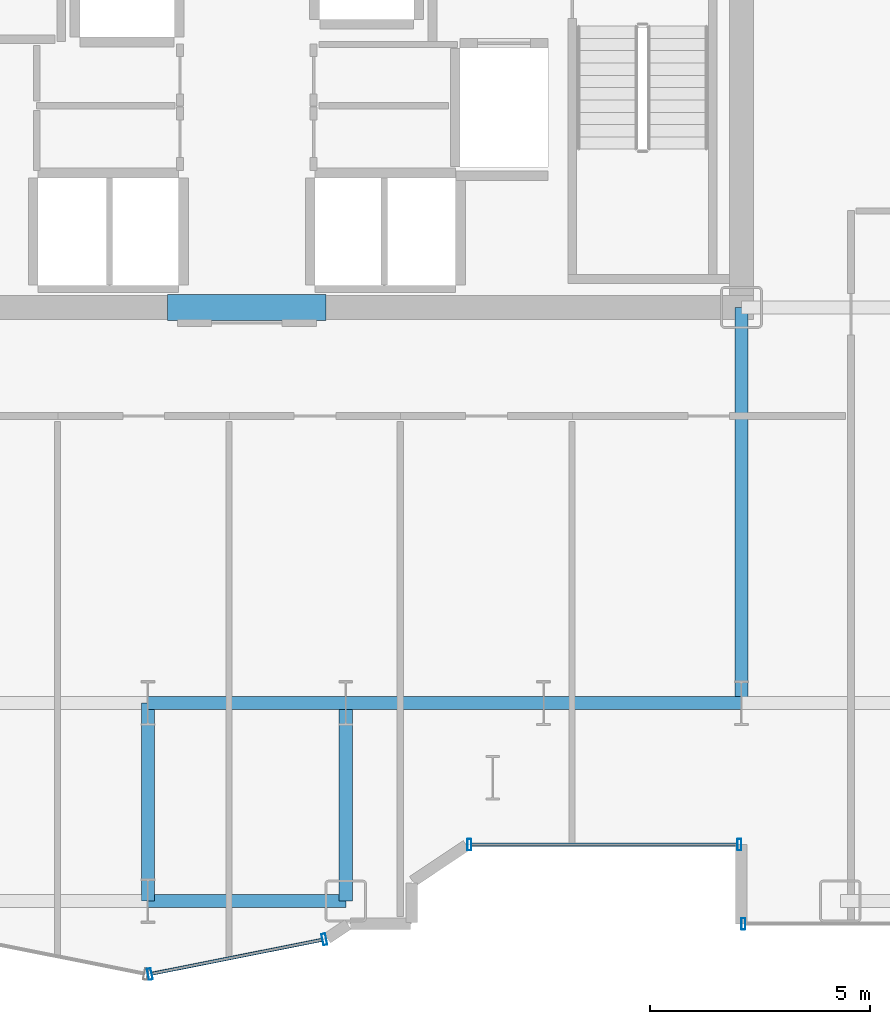
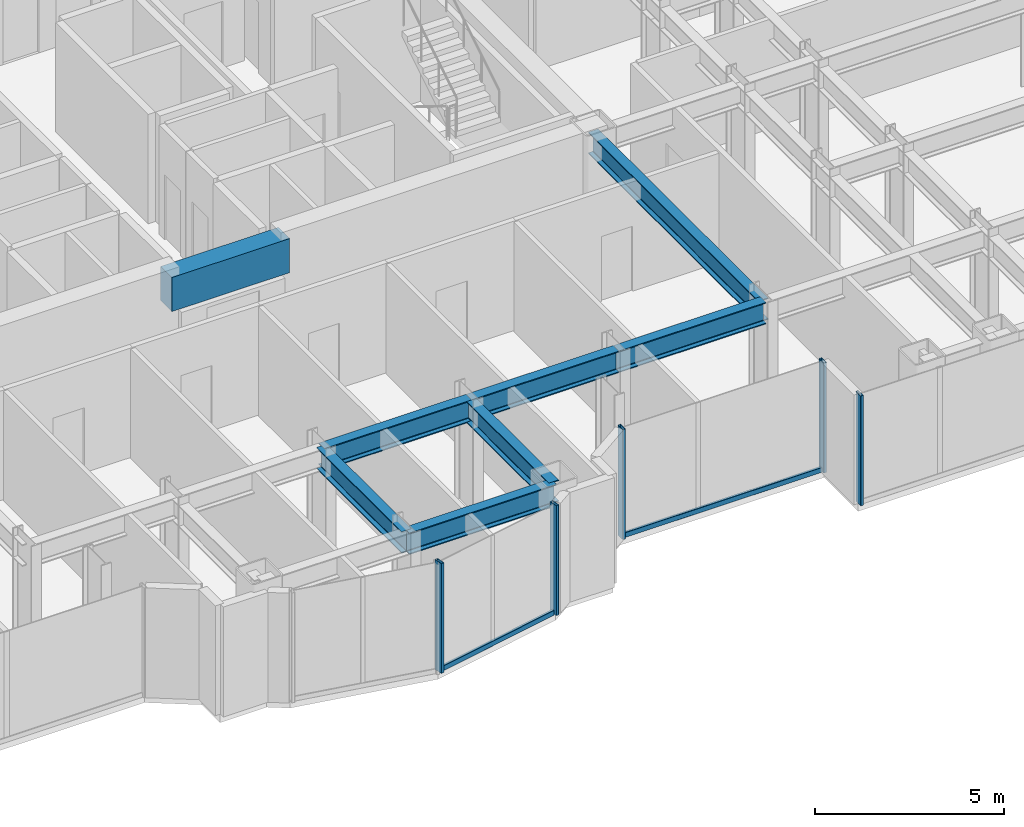
# One storey, part 6 of 26: 8 beams, 7 members, 3 elements without a shape of their own.
"""IFC4 building model written with IfcOpenShell, lengths in metres."""

from ifc_helpers import new_model, si_unit, direction, frame, origin, origin_2d, place, context, subcontext, project, spatial, rectangle, hollow_rectangle, i_section, extrude, source, transform, mapped, material, layer, layer_set, material_profile, profile_set, type_object, element, aggregate, save


model = new_model("IFC4")

# Units and contexts
model_context = context("Model", 3, precision=1e-05, world=origin(), true_north=direction((0.0, 1.0)))
body_context = subcontext(model_context, "Body", "Model", "MODEL_VIEW")
ifc_project = project(units=[si_unit("LENGTHUNIT", "METRE"), si_unit("AREAUNIT", "SQUARE_METRE"), si_unit("VOLUMEUNIT", "CUBIC_METRE"), si_unit("PLANEANGLEUNIT", "RADIAN"), si_unit("MASSUNIT", "GRAM", prefix="KILO")], contexts=[model_context])

# Site, building, storey
site_placement = place(None, origin())
site = spatial("IfcSite", under=ifc_project, at=site_placement, CompositionType="ELEMENT")
building_placement = place(site_placement, origin())
building = spatial("IfcBuilding", under=site, at=building_placement, Name="Nefas-Gora Pilgrimage Tower", CompositionType="ELEMENT")
storey_placement = place(building_placement, frame((0.0, 0.0, 94.60009765625)))
storey = spatial("IfcBuildingStorey", under=building, at=storey_placement, Name="L22", CompositionType="ELEMENT", Elevation=94.60009765625)

# Beams
ifc_material_1 = material(Name="Concrete C60/75", Category="concrete")
ifc_material_profile_1 = material_profile(ifc_material_1, rectangle(XDim=0.60009765625, YDim=1.10009765625, at=origin_2d()), Name="RC 600x1100")
ifc_profile_set_1 = profile_set([ifc_material_profile_1], Name="Concrete C60/75")
beam_type_1 = type_object("IfcBeamType", Name="BM-LIN-RC1100", PredefinedType="LINTEL", material=ifc_profile_set_1)
shared_shape_1 = source(origin(), body_context, "Body", "SweptSolid", [
    extrude(rectangle(XDim=0.60009765625, YDim=1.10009765625, at=origin_2d()), origin(), (0.0, 0.0, 1.0), 3.60009765625),
])
beam_1_placement = place(storey_placement, frame((-1.800048828125, -9.0, 3.0), z_axis=(1.0, 0.0, 0.0), x_axis=(0.0, 1.0, 0.0)))
element("IfcBeam", 1, at=beam_1_placement, inside=storey, type_object=beam_type_1, Name="L22 Core Coupling Lintel Beam S", PredefinedType="LINTEL", context=body_context, shape_type="MappedRepresentation", body=[
    mapped(shared_shape_1, transform((0.0, 0.0, 0.0), x_axis=(1.0, 0.0, 0.0), y_axis=(0.0, 1.0, 0.0), z_axis=(0.0, 0.0, 1.0), scale=1.0)),
])
ifc_material_2 = material(Name="Steel S355", Category="steel")
ifc_material_profile_2 = material_profile(ifc_material_2, i_section(OverallWidth=0.300048828125, OverallDepth=0.699951171875, WebThickness=0.01708984375, FlangeThickness=0.031982421875, FilletRadius=0.027099609375, at=origin_2d()), Name="HEB 700")
ifc_profile_set_2 = profile_set([ifc_material_profile_2], Name="Steel S355")
beam_type_2 = type_object("IfcBeamType", Name="BM-GIR-HEB700", PredefinedType="BEAM", material=ifc_profile_set_2)
shared_shape_2 = source(origin(), body_context, "Body", "SweptSolid", [
    extrude(i_section(OverallWidth=0.300048828125, OverallDepth=0.699951171875, WebThickness=0.01708984375, FlangeThickness=0.031982421875, FilletRadius=0.027099609375, at=origin_2d()), origin(), (0.0, 0.0, 1.0), 9.0),
])
beam_2_placement = place(storey_placement, frame((11.25, -18.0, 3.199951171875), z_axis=(0.0, 1.0, 0.0), x_axis=(-1.0, 0.0, 0.0)))
element("IfcBeam", 2, at=beam_2_placement, inside=storey, type_object=beam_type_2, Name="L22 G-02 beam", PredefinedType="BEAM", context=body_context, shape_type="MappedRepresentation", body=[
    mapped(shared_shape_2, transform((0.0, 0.0, 0.0), x_axis=(1.0, 0.0, 0.0), y_axis=(0.0, 1.0, 0.0), z_axis=(0.0, 0.0, 1.0), scale=1.0)),
])
shared_shape_3 = source(origin(), body_context, "Body", "SweptSolid", [
    extrude(i_section(OverallWidth=0.300048828125, OverallDepth=0.699951171875, WebThickness=0.01708984375, FlangeThickness=0.031982421875, FilletRadius=0.027099609375, at=origin_2d()), origin(), (0.0, 0.0, 1.0), 4.5),
])
for number, where, z_axis, x_axis, name in (
    (3, (-2.25, -22.5, 3.199951171875), (0.0, 1.0, 0.0), (-1.0, 0.0, 0.0), "L22 G-02 beam"),
    (4, (-2.25, -22.5, 3.199951171875), (1.0, 0.0, 0.0), (0.0, 1.0, 0.0), "L22 G-02 beam"),
    (5, (-2.25, -18.0, 3.199951171875), (1.0, 0.0, 0.0), (0.0, 1.0, 0.0), "L22 G-02 beam"),
    (6, (2.25, -22.5, 3.199951171875), (0.0, 1.0, 0.0), (-1.0, 0.0, 0.0), "L22 G-02 beam"),
    (7, (2.25, -18.0, 3.199951171875), (1.0, 0.0, 0.0), (0.0, 1.0, 0.0), "L22 G-02 beam"),
    (8, (6.75, -18.0, 3.199951171875), (1.0, 0.0, 0.0), (0.0, 1.0, 0.0), "L22 G-02 beam"),
):
    element("IfcBeam", number, at=place(storey_placement, frame(where, z_axis=z_axis, x_axis=x_axis)), inside=storey, type_object=beam_type_2, Name=name, PredefinedType="BEAM", context=body_context, shape_type="MappedRepresentation", body=[
        mapped(shared_shape_3, transform((0.0, 0.0, 0.0), x_axis=(1.0, 0.0, 0.0), y_axis=(0.0, 1.0, 0.0), z_axis=(0.0, 0.0, 1.0), scale=1.0)),
    ])

# Curtain wall, member
ifc_material_3 = material(Name="Dark ceramic-fritted solar-control aluminium-glass curtain wall", Category="aluminium")
ifc_layer_1 = layer(ifc_material_3, 0.219970703125)
ifc_layer_set_1 = layer_set([ifc_layer_1], Name="Dark ceramic-fritted solar-control aluminium-glass curtain wall")
curtain_wall_type_1 = type_object("IfcCurtainWallType", Name="CW-SYS-5", PredefinedType="NOTDEFINED", material=ifc_layer_set_1)
curtain_wall_1_placement = place(storey_placement, origin())
curtain_wall_1 = element("IfcCurtainWall", 9, at=curtain_wall_1_placement, inside=storey, type_object=curtain_wall_type_1, Name="L22 Unitised Curtain Wall CW5", PredefinedType="NOTDEFINED")
ifc_material_4 = material(Name="Anodised architectural aluminium", Category="aluminium")
ifc_material_profile_3 = material_profile(ifc_material_4, hollow_rectangle(XDim=0.080078125, YDim=0.159912109375, WallThickness=0.00439453125, InnerFilletRadius=0.00439453125, OuterFilletRadius=0.009033203125, at=origin_2d()), Name="ALU TRANSOM 80x160")
ifc_profile_set_3 = profile_set([ifc_material_profile_3], Name="Anodised architectural aluminium")
member_type_1 = type_object("IfcMemberType", Name="CWM-TRN-5", PredefinedType="USERDEFINED", material=ifc_profile_set_3)
shared_shape_4 = source(origin(), body_context, "Body", "SweptSolid", [
    extrude(hollow_rectangle(XDim=0.080078125, YDim=0.159912109375, WallThickness=0.00439453125, InnerFilletRadius=0.00439453125, OuterFilletRadius=0.009033203125, at=origin_2d()), origin(), (0.0, 0.0, 1.0), 6.052001953125),
])
member_1_placement = place(storey_placement, frame((5.10791015625, -21.219970703125, 0.0498046875), z_axis=(1.0, 0.0, 0.0), x_axis=(0.0, 1.0, 0.0)))
member_1 = element("IfcMember", 10, at=member_1_placement, type_object=member_type_1, Name="CW5 Spandrel Transom", ObjectType="TRANSOM", PredefinedType="USERDEFINED", context=body_context, shape_type="MappedRepresentation", body=[
    mapped(shared_shape_4, transform((0.0, 0.0, 0.0), x_axis=(1.0, 0.0, 0.0), y_axis=(0.0, 1.0, 0.0), z_axis=(0.0, 0.0, 1.0), scale=1.0)),
])

curtain_wall_2_placement = place(storey_placement, origin())
curtain_wall_2 = element("IfcCurtainWall", 11, at=curtain_wall_2_placement, inside=storey, type_object=curtain_wall_type_1, Name="L22 Unitised Curtain Wall CW5", PredefinedType="NOTDEFINED")
shared_shape_5 = source(origin(), body_context, "Body", "SweptSolid", [
    extrude(hollow_rectangle(XDim=0.080078125, YDim=0.159912109375, WallThickness=0.00439453125, InnerFilletRadius=0.00439453125, OuterFilletRadius=0.009033203125, at=origin_2d()), origin(), (0.0, 0.0, 1.0), 3.95654296875),
])
member_2_placement = place(storey_placement, frame((-2.16162109375, -24.15478515625, 0.0498046875), z_axis=(0.980781880918, 0.195107411605, 0.0), x_axis=(-0.195107411605, 0.980781880918, 0.0)))
member_2 = element("IfcMember", 12, at=member_2_placement, type_object=member_type_1, Name="CW5 Spandrel Transom", ObjectType="TRANSOM", PredefinedType="USERDEFINED", context=body_context, shape_type="MappedRepresentation", body=[
    mapped(shared_shape_5, transform((0.0, 0.0, 0.0), x_axis=(1.0, 0.0, 0.0), y_axis=(0.0, 1.0, 0.0), z_axis=(0.0, 0.0, 1.0), scale=1.0)),
])

# Member
ifc_material_profile_4 = material_profile(ifc_material_4, hollow_rectangle(XDim=0.090087890625, YDim=0.260009765625, WallThickness=0.006103515625, InnerFilletRadius=0.006103515625, OuterFilletRadius=0.011962890625, at=origin_2d()), Name="ALU MULLION 90x260")
ifc_profile_set_4 = profile_set([ifc_material_profile_4], Name="Anodised architectural aluminium")
member_type_2 = type_object("IfcMemberType", Name="CWM-MUL-5", PredefinedType="MULLION", material=ifc_profile_set_4)
shared_shape_6 = source(origin(), body_context, "Body", "SweptSolid", [
    extrude(hollow_rectangle(XDim=0.090087890625, YDim=0.260009765625, WallThickness=0.006103515625, InnerFilletRadius=0.006103515625, OuterFilletRadius=0.011962890625, at=origin_2d()), origin(), (0.0, 0.0, 1.0), 3.5498046875),
])
member_3_placement = place(storey_placement, frame((5.06298828125, -21.219970703125, 0.0), z_axis=(0.0, 0.0, 1.0), x_axis=(1.0, 0.0, 0.0)))
member_3 = element("IfcMember", 13, at=member_3_placement, type_object=member_type_2, Name="CW5 Mullion 1", PredefinedType="MULLION", context=body_context, shape_type="MappedRepresentation", body=[
    mapped(shared_shape_6, transform((0.0, 0.0, 0.0), x_axis=(1.0, 0.0, 0.0), y_axis=(0.0, 1.0, 0.0), z_axis=(0.0, 0.0, 1.0), scale=1.0)),
])

member_4_placement = place(storey_placement, frame((11.205078125, -21.219970703125, 0.0), z_axis=(0.0, 0.0, 1.0), x_axis=(1.0, 0.0, 0.0)))
member_4 = element("IfcMember", 14, at=member_4_placement, type_object=member_type_2, Name="CW5 Mullion 2", PredefinedType="MULLION", context=body_context, shape_type="MappedRepresentation", body=[
    mapped(shared_shape_6, transform((0.0, 0.0, 0.0), x_axis=(1.0, 0.0, 0.0), y_axis=(0.0, 1.0, 0.0), z_axis=(0.0, 0.0, 1.0), scale=1.0)),
])

aggregate(curtain_wall_1, [member_3, member_4, member_1])

member_5_placement = place(storey_placement, frame((-2.205810546875, -24.16357421875, 0.0), z_axis=(0.0, 0.0, 1.0), x_axis=(0.980782896852, 0.195102304554, 0.0)))
member_5 = element("IfcMember", 15, at=member_5_placement, type_object=member_type_2, Name="CW5 Mullion 1", PredefinedType="MULLION", context=body_context, shape_type="MappedRepresentation", body=[
    mapped(shared_shape_6, transform((0.0, 0.0, 0.0), x_axis=(1.0, 0.0, 0.0), y_axis=(0.0, 1.0, 0.0), z_axis=(0.0, 0.0, 1.0), scale=1.0)),
])

member_6_placement = place(storey_placement, frame((1.76318359375, -23.3740234375, 0.0), z_axis=(0.0, 0.0, 1.0), x_axis=(0.980782896852, 0.195102304554, 0.0)))
member_6 = element("IfcMember", 16, at=member_6_placement, type_object=member_type_2, Name="CW5 Mullion 2", PredefinedType="MULLION", context=body_context, shape_type="MappedRepresentation", body=[
    mapped(shared_shape_6, transform((0.0, 0.0, 0.0), x_axis=(1.0, 0.0, 0.0), y_axis=(0.0, 1.0, 0.0), z_axis=(0.0, 0.0, 1.0), scale=1.0)),
])

aggregate(curtain_wall_2, [member_5, member_6, member_2])

# Curtain wall, member
ifc_layer_2 = layer(ifc_material_3, 0.219970703125)
ifc_layer_set_2 = layer_set([ifc_layer_2], Name="Dark ceramic-fritted solar-control aluminium-glass curtain wall")
curtain_wall_type_2 = type_object("IfcCurtainWallType", Name="CW-SYS-2", PredefinedType="NOTDEFINED", material=ifc_layer_set_2)
curtain_wall_3_placement = place(storey_placement, origin())
curtain_wall_3 = element("IfcCurtainWall", 17, at=curtain_wall_3_placement, inside=storey, type_object=curtain_wall_type_2, Name="L22 Unitised Curtain Wall CW2", PredefinedType="NOTDEFINED")
ifc_material_profile_5 = material_profile(ifc_material_4, hollow_rectangle(XDim=0.090087890625, YDim=0.260009765625, WallThickness=0.006103515625, InnerFilletRadius=0.006103515625, OuterFilletRadius=0.011962890625, at=origin_2d()), Name="ALU MULLION 90x260")
ifc_profile_set_5 = profile_set([ifc_material_profile_5], Name="Anodised architectural aluminium")
member_type_3 = type_object("IfcMemberType", Name="CWM-MUL-2", PredefinedType="MULLION", material=ifc_profile_set_5)
shared_shape_7 = source(origin(), body_context, "Body", "SweptSolid", [
    extrude(hollow_rectangle(XDim=0.090087890625, YDim=0.260009765625, WallThickness=0.006103515625, InnerFilletRadius=0.006103515625, OuterFilletRadius=0.011962890625, at=origin_2d()), origin(), (0.0, 0.0, 1.0), 3.5498046875),
])
member_7_placement = place(storey_placement, frame((11.294921875, -23.02001953125, 0.0), z_axis=(0.0, 0.0, 1.0), x_axis=(1.0, 0.0, 0.0)))
member_7 = element("IfcMember", 18, at=member_7_placement, type_object=member_type_3, Name="CW2 Mullion 1", PredefinedType="MULLION", context=body_context, shape_type="MappedRepresentation", body=[
    mapped(shared_shape_7, transform((0.0, 0.0, 0.0), x_axis=(1.0, 0.0, 0.0), y_axis=(0.0, 1.0, 0.0), z_axis=(0.0, 0.0, 1.0), scale=1.0)),
])
aggregate(curtain_wall_3, [member_7])

save(model, "model.ifc")
